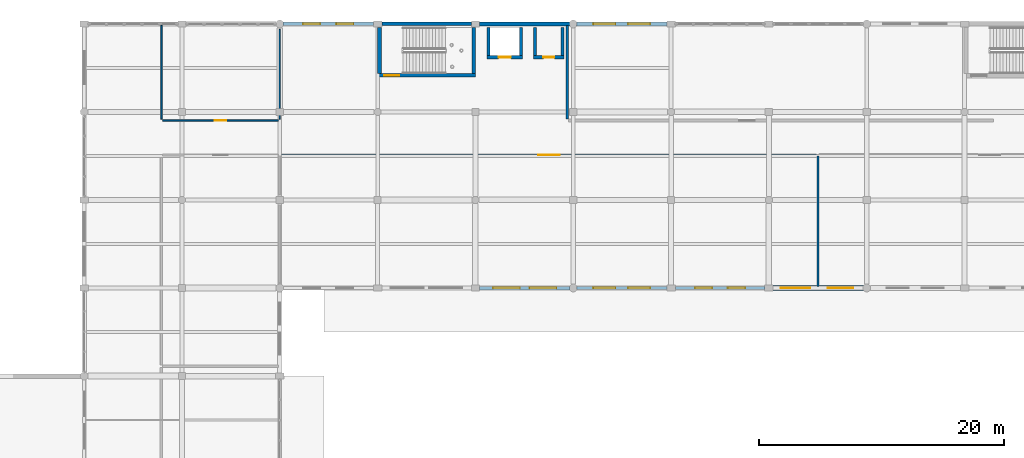
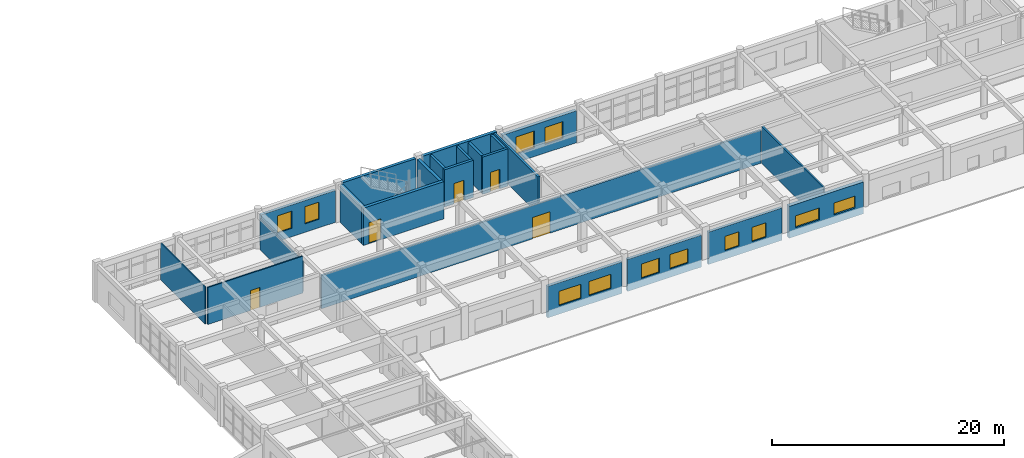
# One storey, part 107 of 121: 23 walls, 12 windows, 5 doors, 17 openings.
"""IFC4 building model written with IfcOpenShell, lengths in metres."""

from ifc_helpers import new_model, si_unit, direction, frame, frame_2d, origin, place, context, subcontext, project, spatial, rectangle, extrude, material, layer, layer_set, type_object, element, fill, save


model = new_model("IFC4")

# Units and contexts
model_context = context("Model", 3, precision=1e-05, world=origin(), true_north=direction((0.0, 1.0)))
body_context = subcontext(model_context, "Body", "Model", "MODEL_VIEW")
ifc_project = project(units=[si_unit("LENGTHUNIT", "METRE"), si_unit("AREAUNIT", "SQUARE_METRE"), si_unit("VOLUMEUNIT", "CUBIC_METRE"), si_unit("PLANEANGLEUNIT", "RADIAN"), si_unit("MASSUNIT", "GRAM", prefix="KILO")], contexts=[model_context])

# Site, building, storey
site_placement = place(None, origin())
site = spatial("IfcSite", under=ifc_project, at=site_placement, CompositionType="ELEMENT")
building_placement = place(site_placement, origin())
building = spatial("IfcBuilding", under=site, at=building_placement, Name="Kharva Crest Polytechnic", CompositionType="ELEMENT")
storey_placement = place(building_placement, frame((0.0, 0.0, 13.199951171875)))
storey = spatial("IfcBuildingStorey", under=building, at=storey_placement, Name="L03", CompositionType="ELEMENT", Elevation=13.199951171875)

# Wall, opening, door
ifc_material_1 = material(Name="Concrete C40/50", Category="concrete")
ifc_layer_1 = layer(ifc_material_1, 0.300048828125, Name="Concrete C40/50")
ifc_layer_set_1 = layer_set([ifc_layer_1], Name="Concrete C40/50")
wall_type_1 = type_object("IfcWallType", Name="WL-CORE-CW2-300", PredefinedType="SHEAR", material=ifc_layer_set_1)
wall_1_placement = place(storey_placement, frame((56.0, 117.7900390625, 0.0), z_axis=(0.0, 0.0, 1.0), x_axis=(1.0, 0.0, 0.0)))
wall_1 = element("IfcWall", 1, at=wall_1_placement, inside=storey, type_object=wall_type_1, Name="L03 North-West Lab Core C3 South Shear Wall", PredefinedType="SHEAR", context=body_context, shape_type="SweptSolid", body=[
    extrude(rectangle(XDim=8.0, YDim=0.300048828125, at=frame_2d((4.0, 0.0))), origin(), (0.0, 0.0, 1.0), 3.920166015625),
])
opening_1_placement = place(wall_1_placement, frame((0.550048828125, 0.0, 0.0)))
opening_1 = element("IfcOpeningElement", 2, at=opening_1_placement, cuts=wall_1, Name="Opening FD1", PredefinedType="OPENING", context=body_context, shape_type="SweptSolid", body=[
    extrude(rectangle(XDim=1.199951171875, YDim=2.199951171875, at=frame_2d((0.60009765625, 1.10009765625))), frame((0.0, 0.159912109375, 0.0), z_axis=(0.0, -1.0, 0.0), x_axis=(1.0, 0.0, 0.0)), (0.0, 0.0, 1.0), 0.320068359375),
])
ifc_material_2 = material(Name="Teak timber", Category="wood")
door_type_1 = type_object("IfcDoorType", Name="DR-STAIR-1200X2200", OperationType="NOTDEFINED", PredefinedType="DOOR", material=ifc_material_2)
door_1_placement = place(opening_1_placement, origin())
door_1 = element("IfcDoor", 3, at=door_1_placement, inside=storey, type_object=door_type_1, Name="L03 ST-03 Stair Door", OperationType="SINGLE_SWING_LEFT", OverallHeight=2.199951171875, OverallWidth=1.199951171875, PredefinedType="DOOR", context=body_context, shape_type="SweptSolid", body=[
    extrude(rectangle(XDim=1.199951171875, YDim=2.199951171875, at=frame_2d((0.60009765625, 1.10009765625))), frame((0.0, 0.02490234375, 0.0), z_axis=(0.0, -1.0, 0.0), x_axis=(1.0, 0.0, 0.0)), (0.0, 0.0, 1.0), 0.050048828125),
])
fill(opening_1, door_1)

# Walls
for number, where, z_axis, x_axis, name in (
    (4, (56.14990234375, 117.93994140625, 0.0), (0.0, 0.0, 1.0), (0.0, 1.0, 0.0), "L03 North-West Lab Core C3 West Shear Wall"),
    (5, (63.85009765625, 117.93994140625, 0.0), (0.0, 0.0, 1.0), (0.0, 1.0, 0.0), "L03 North-West Lab Core C3 East Shear Wall"),
):
    element("IfcWall", number, at=place(storey_placement, frame(where, z_axis=z_axis, x_axis=x_axis)), inside=storey, type_object=wall_type_1, Name=name, PredefinedType="SHEAR", context=body_context, shape_type="SweptSolid", body=[
        extrude(rectangle(XDim=3.760009765625, YDim=0.300048828125, at=frame_2d((1.8798828125, 0.0))), origin(), (0.0, 0.0, 1.0), 3.920166015625),
    ])

# Wall, openings, windows
ifc_material_3 = material(Name="Kiln brick masonry", Category="masonry")
ifc_layer_2 = layer(ifc_material_3, 0.260009765625, Name="Kiln brick masonry")
ifc_layer_set_2 = layer_set([ifc_layer_2], Name="Kiln brick masonry")
wall_type_2 = type_object("IfcWallType", Name="WL-EXT-BRK-260", PredefinedType="SOLIDWALL", material=ifc_layer_set_2)
wall_2_placement = place(storey_placement, frame((80.344970703125, 100.39990234375, 0.0), z_axis=(0.0, 0.0, 1.0), x_axis=(1.0, 0.0, 0.0)))
wall_2 = element("IfcWall", 6, at=wall_2_placement, inside=storey, type_object=wall_type_2, Name="L03 Exterior Brick Wall 372", PredefinedType="SOLIDWALL", context=body_context, shape_type="SweptSolid", body=[
    extrude(rectangle(XDim=7.320068359375, YDim=0.260009765625, at=frame_2d((3.66015625, 0.0))), origin(), (0.0, 0.0, 1.0), 3.41015625),
])
opening_2_placement = place(wall_2_placement, frame((1.613037109375, 0.0, 0.89990234375)))
opening_2 = element("IfcOpeningElement", 7, at=opening_2_placement, cuts=wall_2, Name="Opening W15", PredefinedType="OPENING", context=body_context, shape_type="SweptSolid", body=[
    extrude(rectangle(XDim=1.39990234375, YDim=1.5, at=frame_2d((0.699951171875, 0.75))), frame((0.0, 0.139892578125, 0.0), z_axis=(0.0, -1.0, 0.0), x_axis=(1.0, 0.0, 0.0)), (0.0, 0.0, 1.0), 0.280029296875),
])
opening_3_placement = place(wall_2_placement, frame((4.306884765625, 0.0, 0.89990234375)))
opening_3 = element("IfcOpeningElement", 8, at=opening_3_placement, cuts=wall_2, Name="Opening W15", PredefinedType="OPENING", context=body_context, shape_type="SweptSolid", body=[
    extrude(rectangle(XDim=1.39990234375, YDim=1.5, at=frame_2d((0.699951171875, 0.75))), frame((0.0, 0.139892578125, 0.0), z_axis=(0.0, -1.0, 0.0), x_axis=(1.0, 0.0, 0.0)), (0.0, 0.0, 1.0), 0.280029296875),
])
ifc_material_4 = material(Name="Anodised aluminium", Category="aluminium")
window_type_1 = type_object("IfcWindowType", Name="WIN-ALU-1400X1500", PartitioningType="SINGLE_PANEL", PredefinedType="WINDOW", material=ifc_material_4)
window_1_placement = place(opening_2_placement, origin())
window_1 = element("IfcWindow", 9, at=window_1_placement, inside=storey, type_object=window_type_1, Name="L03 Exterior Window 515", OverallHeight=1.5, OverallWidth=1.39990234375, PartitioningType="SINGLE_PANEL", PredefinedType="WINDOW", context=body_context, shape_type="SweptSolid", body=[
    extrude(rectangle(XDim=1.39990234375, YDim=1.5, at=frame_2d((0.699951171875, 0.75))), frame((0.0, 0.030029296875, 0.0), z_axis=(0.0, -1.0, 0.0), x_axis=(1.0, 0.0, 0.0)), (0.0, 0.0, 1.0), 0.06005859375),
])
fill(opening_2, window_1)
window_2_placement = place(opening_3_placement, origin())
window_2 = element("IfcWindow", 10, at=window_2_placement, inside=storey, type_object=window_type_1, Name="L03 Exterior Window 516", OverallHeight=1.5, OverallWidth=1.39990234375, PartitioningType="SINGLE_PANEL", PredefinedType="WINDOW", context=body_context, shape_type="SweptSolid", body=[
    extrude(rectangle(XDim=1.39990234375, YDim=1.5, at=frame_2d((0.699951171875, 0.75))), frame((0.0, 0.030029296875, 0.0), z_axis=(0.0, -1.0, 0.0), x_axis=(1.0, 0.0, 0.0)), (0.0, 0.0, 1.0), 0.06005859375),
])
fill(opening_3, window_2)

ifc_layer_3 = layer(ifc_material_3, 0.27490234375, Name="Kiln brick masonry")
ifc_layer_set_3 = layer_set([ifc_layer_3], Name="Kiln brick masonry")
wall_type_3 = type_object("IfcWallType", Name="WL-EXT-BRK-275", PredefinedType="SOLIDWALL", material=ifc_layer_set_3)
wall_3_placement = place(storey_placement, frame((55.655029296875, 122.0, 0.0), z_axis=(0.0, 0.0, 1.0), x_axis=(-1.0, 0.0, 0.0)))
wall_3 = element("IfcWall", 11, at=wall_3_placement, inside=storey, type_object=wall_type_3, Name="L03 Exterior Brick Wall 354", PredefinedType="SOLIDWALL", context=body_context, shape_type="SweptSolid", body=[
    extrude(rectangle(XDim=7.38623046875, YDim=0.27490234375, at=frame_2d((3.693115234375, 0.0))), origin(), (0.0, 0.0, 1.0), 3.360107421875),
])
opening_4_placement = place(wall_3_placement, frame((1.635009765625, 0.0, 0.89990234375)))
opening_4 = element("IfcOpeningElement", 12, at=opening_4_placement, cuts=wall_3, Name="Opening W07", PredefinedType="OPENING", context=body_context, shape_type="SweptSolid", body=[
    extrude(rectangle(XDim=1.39990234375, YDim=1.800048828125, at=frame_2d((0.699951171875, 0.89990234375))), frame((0.0, 0.1474609375, 0.0), z_axis=(0.0, -1.0, 0.0), x_axis=(1.0, 0.0, 0.0)), (0.0, 0.0, 1.0), 0.294921875),
])
opening_5_placement = place(wall_3_placement, frame((4.35107421875, 0.0, 0.89990234375)))
opening_5 = element("IfcOpeningElement", 13, at=opening_5_placement, cuts=wall_3, Name="Opening W07", PredefinedType="OPENING", context=body_context, shape_type="SweptSolid", body=[
    extrude(rectangle(XDim=1.39990234375, YDim=1.800048828125, at=frame_2d((0.699951171875, 0.89990234375))), frame((0.0, 0.1474609375, 0.0), z_axis=(0.0, -1.0, 0.0), x_axis=(1.0, 0.0, 0.0)), (0.0, 0.0, 1.0), 0.294921875),
])
window_type_2 = type_object("IfcWindowType", Name="WIN-ALU-1400X1800", PartitioningType="SINGLE_PANEL", PredefinedType="WINDOW", material=ifc_material_4)
window_3_placement = place(opening_4_placement, origin())
window_3 = element("IfcWindow", 14, at=window_3_placement, inside=storey, type_object=window_type_2, Name="L03 Exterior Window 483", OverallHeight=1.800048828125, OverallWidth=1.39990234375, PartitioningType="SINGLE_PANEL", PredefinedType="WINDOW", context=body_context, shape_type="SweptSolid", body=[
    extrude(rectangle(XDim=1.39990234375, YDim=1.800048828125, at=frame_2d((0.699951171875, 0.89990234375))), frame((0.0, 0.030029296875, 0.0), z_axis=(0.0, -1.0, 0.0), x_axis=(1.0, 0.0, 0.0)), (0.0, 0.0, 1.0), 0.06005859375),
])
fill(opening_4, window_3)
window_4_placement = place(opening_5_placement, origin())
window_4 = element("IfcWindow", 15, at=window_4_placement, inside=storey, type_object=window_type_2, Name="L03 Exterior Window 484", OverallHeight=1.800048828125, OverallWidth=1.39990234375, PartitioningType="SINGLE_PANEL", PredefinedType="WINDOW", context=body_context, shape_type="SweptSolid", body=[
    extrude(rectangle(XDim=1.39990234375, YDim=1.800048828125, at=frame_2d((0.699951171875, 0.89990234375))), frame((0.0, 0.030029296875, 0.0), z_axis=(0.0, -1.0, 0.0), x_axis=(1.0, 0.0, 0.0)), (0.0, 0.0, 1.0), 0.06005859375),
])
fill(opening_5, window_4)

wall_4_placement = place(storey_placement, frame((72.268798828125, 100.39990234375, 0.0), z_axis=(0.0, 0.0, 1.0), x_axis=(1.0, 0.0, 0.0)))
wall_4 = element("IfcWall", 16, at=wall_4_placement, inside=storey, type_object=wall_type_3, Name="L03 Exterior Brick Wall 371", PredefinedType="SOLIDWALL", context=body_context, shape_type="SweptSolid", body=[
    extrude(rectangle(XDim=7.38623046875, YDim=0.27490234375, at=frame_2d((3.693115234375, 0.0))), origin(), (0.0, 0.0, 1.0), 3.360107421875),
])
opening_6_placement = place(wall_4_placement, frame((1.368896484375, 0.0, 0.89990234375)))
opening_6 = element("IfcOpeningElement", 17, at=opening_6_placement, cuts=wall_4, Name="Opening W13", PredefinedType="OPENING", context=body_context, shape_type="SweptSolid", body=[
    extrude(rectangle(XDim=1.800048828125, YDim=1.5, at=frame_2d((0.89990234375, 0.75))), frame((0.0, 0.1474609375, 0.0), z_axis=(0.0, -1.0, 0.0), x_axis=(1.0, 0.0, 0.0)), (0.0, 0.0, 1.0), 0.294921875),
])
opening_7_placement = place(wall_4_placement, frame((4.217041015625, 0.0, 0.89990234375)))
opening_7 = element("IfcOpeningElement", 18, at=opening_7_placement, cuts=wall_4, Name="Opening W13", PredefinedType="OPENING", context=body_context, shape_type="SweptSolid", body=[
    extrude(rectangle(XDim=1.800048828125, YDim=1.5, at=frame_2d((0.89990234375, 0.75))), frame((0.0, 0.1474609375, 0.0), z_axis=(0.0, -1.0, 0.0), x_axis=(1.0, 0.0, 0.0)), (0.0, 0.0, 1.0), 0.294921875),
])
window_type_3 = type_object("IfcWindowType", Name="WIN-ALU-1800X1500", PartitioningType="SINGLE_PANEL", PredefinedType="WINDOW", material=ifc_material_4)
window_5_placement = place(opening_6_placement, origin())
window_5 = element("IfcWindow", 19, at=window_5_placement, inside=storey, type_object=window_type_3, Name="L03 Exterior Window 513", OverallHeight=1.5, OverallWidth=1.800048828125, PartitioningType="SINGLE_PANEL", PredefinedType="WINDOW", context=body_context, shape_type="SweptSolid", body=[
    extrude(rectangle(XDim=1.800048828125, YDim=1.5, at=frame_2d((0.89990234375, 0.75))), frame((0.0, 0.030029296875, 0.0), z_axis=(0.0, -1.0, 0.0), x_axis=(1.0, 0.0, 0.0)), (0.0, 0.0, 1.0), 0.06005859375),
])
fill(opening_6, window_5)
window_6_placement = place(opening_7_placement, origin())
window_6 = element("IfcWindow", 20, at=window_6_placement, inside=storey, type_object=window_type_3, Name="L03 Exterior Window 514", OverallHeight=1.5, OverallWidth=1.800048828125, PartitioningType="SINGLE_PANEL", PredefinedType="WINDOW", context=body_context, shape_type="SweptSolid", body=[
    extrude(rectangle(XDim=1.800048828125, YDim=1.5, at=frame_2d((0.89990234375, 0.75))), frame((0.0, 0.030029296875, 0.0), z_axis=(0.0, -1.0, 0.0), x_axis=(1.0, 0.0, 0.0)), (0.0, 0.0, 1.0), 0.06005859375),
])
fill(opening_7, window_6)

# Wall
ifc_layer_4 = layer(ifc_material_3, 0.2900390625, Name="Kiln brick masonry")
ifc_layer_set_4 = layer_set([ifc_layer_4], Name="Kiln brick masonry")
wall_type_4 = type_object("IfcWallType", Name="WL-EXT-BRK-290", PredefinedType="SOLIDWALL", material=ifc_layer_set_4)
wall_5_placement = place(storey_placement, frame((63.6650390625, 122.0, 0.0), z_axis=(0.0, 0.0, 1.0), x_axis=(-1.0, 0.0, 0.0)))
element("IfcWall", 21, at=wall_5_placement, inside=storey, type_object=wall_type_4, Name="L03 Exterior Brick Wall 353", PredefinedType="SOLIDWALL", context=body_context, shape_type="SweptSolid", body=[
    extrude(rectangle(XDim=7.320068359375, YDim=0.2900390625, at=frame_2d((3.66015625, 0.0))), origin(), (0.0, 0.0, 1.0), 3.920166015625),
])

# Wall, openings, windows
wall_6_placement = place(storey_placement, frame((64.3349609375, 100.39990234375, 0.0), z_axis=(0.0, 0.0, 1.0), x_axis=(1.0, 0.0, 0.0)))
wall_6 = element("IfcWall", 22, at=wall_6_placement, inside=storey, type_object=wall_type_4, Name="L03 Exterior Brick Wall 370", PredefinedType="SOLIDWALL", context=body_context, shape_type="SweptSolid", body=[
    extrude(rectangle(XDim=7.396240234375, YDim=0.2900390625, at=frame_2d((3.6982421875, 0.0))), origin(), (0.0, 0.0, 1.0), 3.31005859375),
])
opening_8_placement = place(wall_6_placement, frame((1.10498046875, 0.0, 0.89990234375)))
opening_8 = element("IfcOpeningElement", 23, at=opening_8_placement, cuts=wall_6, Name="Opening W11", PredefinedType="OPENING", context=body_context, shape_type="SweptSolid", body=[
    extrude(rectangle(XDim=2.199951171875, YDim=1.5, at=frame_2d((1.10009765625, 0.75))), frame((0.0, 0.155029296875, 0.0), z_axis=(0.0, -1.0, 0.0), x_axis=(1.0, 0.0, 0.0)), (0.0, 0.0, 1.0), 0.31005859375),
])
opening_9_placement = place(wall_6_placement, frame((4.091064453125, 0.0, 0.89990234375)))
opening_9 = element("IfcOpeningElement", 24, at=opening_9_placement, cuts=wall_6, Name="Opening W11", PredefinedType="OPENING", context=body_context, shape_type="SweptSolid", body=[
    extrude(rectangle(XDim=2.199951171875, YDim=1.5, at=frame_2d((1.10009765625, 0.75))), frame((0.0, 0.155029296875, 0.0), z_axis=(0.0, -1.0, 0.0), x_axis=(1.0, 0.0, 0.0)), (0.0, 0.0, 1.0), 0.31005859375),
])
window_type_4 = type_object("IfcWindowType", Name="WIN-ALU-2200X1500", PartitioningType="SINGLE_PANEL", PredefinedType="WINDOW", material=ifc_material_4)
window_7_placement = place(opening_8_placement, origin())
window_7 = element("IfcWindow", 25, at=window_7_placement, inside=storey, type_object=window_type_4, Name="L03 Exterior Window 511", OverallHeight=1.5, OverallWidth=2.199951171875, PartitioningType="SINGLE_PANEL", PredefinedType="WINDOW", context=body_context, shape_type="SweptSolid", body=[
    extrude(rectangle(XDim=2.199951171875, YDim=1.5, at=frame_2d((1.10009765625, 0.75))), frame((0.0, 0.030029296875, 0.0), z_axis=(0.0, -1.0, 0.0), x_axis=(1.0, 0.0, 0.0)), (0.0, 0.0, 1.0), 0.06005859375),
])
fill(opening_8, window_7)
window_8_placement = place(opening_9_placement, origin())
window_8 = element("IfcWindow", 26, at=window_8_placement, inside=storey, type_object=window_type_4, Name="L03 Exterior Window 512", OverallHeight=1.5, OverallWidth=2.199951171875, PartitioningType="SINGLE_PANEL", PredefinedType="WINDOW", context=body_context, shape_type="SweptSolid", body=[
    extrude(rectangle(XDim=2.199951171875, YDim=1.5, at=frame_2d((1.10009765625, 0.75))), frame((0.0, 0.030029296875, 0.0), z_axis=(0.0, -1.0, 0.0), x_axis=(1.0, 0.0, 0.0)), (0.0, 0.0, 1.0), 0.06005859375),
])
fill(opening_9, window_8)

# Wall
ifc_layer_5 = layer(ifc_material_3, 0.304931640625, Name="Kiln brick masonry")
ifc_layer_set_5 = layer_set([ifc_layer_5], Name="Kiln brick masonry")
wall_type_5 = type_object("IfcWallType", Name="WL-EXT-BRK-305", PredefinedType="SOLIDWALL", material=ifc_layer_set_5)
wall_7_placement = place(storey_placement, frame((71.731201171875, 122.0, 0.0), z_axis=(0.0, 0.0, 1.0), x_axis=(-1.0, 0.0, 0.0)))
element("IfcWall", 27, at=wall_7_placement, inside=storey, type_object=wall_type_5, Name="L03 Exterior Brick Wall 352", PredefinedType="SOLIDWALL", context=body_context, shape_type="SweptSolid", body=[
    extrude(rectangle(XDim=7.396240234375, YDim=0.304931640625, at=frame_2d((3.6982421875, 0.0))), origin(), (0.0, 0.0, 1.0), 3.920166015625),
])

# Wall, openings, windows
ifc_layer_6 = layer(ifc_material_3, 0.320068359375, Name="Kiln brick masonry")
ifc_layer_set_6 = layer_set([ifc_layer_6], Name="Kiln brick masonry")
wall_type_6 = type_object("IfcWallType", Name="WL-EXT-BRK-320", PredefinedType="SOLIDWALL", material=ifc_layer_set_6)
wall_8_placement = place(storey_placement, frame((79.655029296875, 122.0, 0.0), z_axis=(0.0, 0.0, 1.0), x_axis=(-1.0, 0.0, 0.0)))
wall_8 = element("IfcWall", 28, at=wall_8_placement, inside=storey, type_object=wall_type_6, Name="L03 Exterior Brick Wall 351", PredefinedType="SOLIDWALL", context=body_context, shape_type="SweptSolid", body=[
    extrude(rectangle(XDim=7.38623046875, YDim=0.320068359375, at=frame_2d((3.693115234375, 0.0))), origin(), (0.0, 0.0, 1.0), 3.360107421875),
])
opening_10_placement = place(wall_8_placement, frame((1.368896484375, 0.0, 0.89990234375)))
opening_10 = element("IfcOpeningElement", 29, at=opening_10_placement, cuts=wall_8, Name="Opening W05", PredefinedType="OPENING", context=body_context, shape_type="SweptSolid", body=[
    extrude(rectangle(XDim=1.800048828125, YDim=1.800048828125, at=frame_2d((0.89990234375, 0.89990234375))), frame((0.0, 0.169921875, 0.0), z_axis=(0.0, -1.0, 0.0), x_axis=(1.0, 0.0, 0.0)), (0.0, 0.0, 1.0), 0.340087890625),
])
opening_11_placement = place(wall_8_placement, frame((4.217041015625, 0.0, 0.89990234375)))
opening_11 = element("IfcOpeningElement", 30, at=opening_11_placement, cuts=wall_8, Name="Opening W05", PredefinedType="OPENING", context=body_context, shape_type="SweptSolid", body=[
    extrude(rectangle(XDim=1.800048828125, YDim=1.800048828125, at=frame_2d((0.89990234375, 0.89990234375))), frame((0.0, 0.169921875, 0.0), z_axis=(0.0, -1.0, 0.0), x_axis=(1.0, 0.0, 0.0)), (0.0, 0.0, 1.0), 0.340087890625),
])
window_type_5 = type_object("IfcWindowType", Name="WIN-ALU-1800X1800", PartitioningType="SINGLE_PANEL", PredefinedType="WINDOW", material=ifc_material_4)
window_9_placement = place(opening_10_placement, origin())
window_9 = element("IfcWindow", 31, at=window_9_placement, inside=storey, type_object=window_type_5, Name="L03 Exterior Window 481", OverallHeight=1.800048828125, OverallWidth=1.800048828125, PartitioningType="SINGLE_PANEL", PredefinedType="WINDOW", context=body_context, shape_type="SweptSolid", body=[
    extrude(rectangle(XDim=1.800048828125, YDim=1.800048828125, at=frame_2d((0.89990234375, 0.89990234375))), frame((0.0, 0.030029296875, 0.0), z_axis=(0.0, -1.0, 0.0), x_axis=(1.0, 0.0, 0.0)), (0.0, 0.0, 1.0), 0.06005859375),
])
fill(opening_10, window_9)
window_10_placement = place(opening_11_placement, origin())
window_10 = element("IfcWindow", 32, at=window_10_placement, inside=storey, type_object=window_type_5, Name="L03 Exterior Window 482", OverallHeight=1.800048828125, OverallWidth=1.800048828125, PartitioningType="SINGLE_PANEL", PredefinedType="WINDOW", context=body_context, shape_type="SweptSolid", body=[
    extrude(rectangle(XDim=1.800048828125, YDim=1.800048828125, at=frame_2d((0.89990234375, 0.89990234375))), frame((0.0, 0.030029296875, 0.0), z_axis=(0.0, -1.0, 0.0), x_axis=(1.0, 0.0, 0.0)), (0.0, 0.0, 1.0), 0.06005859375),
])
fill(opening_11, window_10)

ifc_layer_7 = layer(ifc_material_3, 0.3798828125, Name="Kiln brick masonry")
ifc_layer_set_7 = layer_set([ifc_layer_7], Name="Kiln brick masonry")
wall_type_7 = type_object("IfcWallType", Name="WL-EXT-BRK-380", PredefinedType="SOLIDWALL", material=ifc_layer_set_7)
wall_9_placement = place(storey_placement, frame((88.3349609375, 100.39990234375, 0.0), z_axis=(0.0, 0.0, 1.0), x_axis=(1.0, 0.0, 0.0)))
wall_9 = element("IfcWall", 33, at=wall_9_placement, inside=storey, type_object=wall_type_7, Name="L03 Exterior Brick Wall 373", PredefinedType="SOLIDWALL", context=body_context, shape_type="SweptSolid", body=[
    extrude(rectangle(XDim=7.396240234375, YDim=0.3798828125, at=frame_2d((3.6982421875, 0.0))), origin(), (0.0, 0.0, 1.0), 3.360107421875),
])
opening_12_placement = place(wall_9_placement, frame((0.633056640625, 0.0, 0.89990234375)))
opening_12 = element("IfcOpeningElement", 34, at=opening_12_placement, cuts=wall_9, Name="Opening W17", PredefinedType="OPENING", context=body_context, shape_type="SweptSolid", body=[
    extrude(rectangle(XDim=2.39990234375, YDim=1.25, at=frame_2d((1.199951171875, 0.625))), frame((0.0, 0.199951171875, 0.0), z_axis=(0.0, -1.0, 0.0), x_axis=(1.0, 0.0, 0.0)), (0.0, 0.0, 1.0), 0.39990234375),
])
opening_13_placement = place(wall_9_placement, frame((4.48095703125, 0.0, 0.89990234375)))
opening_13 = element("IfcOpeningElement", 35, at=opening_13_placement, cuts=wall_9, Name="Opening W18", PredefinedType="OPENING", context=body_context, shape_type="SweptSolid", body=[
    extrude(rectangle(XDim=2.10009765625, YDim=1.25, at=frame_2d((1.050048828125, 0.625))), frame((0.0, 0.199951171875, 0.0), z_axis=(0.0, -1.0, 0.0), x_axis=(1.0, 0.0, 0.0)), (0.0, 0.0, 1.0), 0.39990234375),
])
window_type_6 = type_object("IfcWindowType", Name="WIN-ALU-2100X1250", PartitioningType="SINGLE_PANEL", PredefinedType="WINDOW", material=ifc_material_4)
window_11_placement = place(opening_13_placement, origin())
window_11 = element("IfcWindow", 36, at=window_11_placement, inside=storey, type_object=window_type_6, Name="L03 Exterior Window 518", OverallHeight=1.25, OverallWidth=2.10009765625, PartitioningType="SINGLE_PANEL", PredefinedType="WINDOW", context=body_context, shape_type="SweptSolid", body=[
    extrude(rectangle(XDim=2.10009765625, YDim=1.25, at=frame_2d((1.050048828125, 0.625))), frame((0.0, 0.030029296875, 0.0), z_axis=(0.0, -1.0, 0.0), x_axis=(1.0, 0.0, 0.0)), (0.0, 0.0, 1.0), 0.06005859375),
])
fill(opening_13, window_11)
window_type_7 = type_object("IfcWindowType", Name="WIN-ALU-2400X1250", PartitioningType="SINGLE_PANEL", PredefinedType="WINDOW", material=ifc_material_4)
window_12_placement = place(opening_12_placement, origin())
window_12 = element("IfcWindow", 37, at=window_12_placement, inside=storey, type_object=window_type_7, Name="L03 Exterior Window 517", OverallHeight=1.25, OverallWidth=2.39990234375, PartitioningType="SINGLE_PANEL", PredefinedType="WINDOW", context=body_context, shape_type="SweptSolid", body=[
    extrude(rectangle(XDim=2.39990234375, YDim=1.25, at=frame_2d((1.199951171875, 0.625))), frame((0.0, 0.030029296875, 0.0), z_axis=(0.0, -1.0, 0.0), x_axis=(1.0, 0.0, 0.0)), (0.0, 0.0, 1.0), 0.06005859375),
])
fill(opening_12, window_12)

# Walls
ifc_layer_8 = layer(ifc_material_3, 0.110107421875, Name="Kiln brick masonry")
ifc_layer_set_8 = layer_set([ifc_layer_8], Name="Kiln brick masonry")
wall_type_8 = type_object("IfcWallType", Name="WL-PART-110", PredefinedType="PARTITIONING", material=ifc_layer_set_8)
wall_10_placement = place(storey_placement, frame((48.0, 114.219970703125, 0.0), z_axis=(0.0, 0.0, 1.0), x_axis=(0.0, 1.0, 0.0)))
element("IfcWall", 38, at=wall_10_placement, inside=storey, type_object=wall_type_8, Name="L03 Interior Partition 277", PredefinedType="PARTITIONING", context=body_context, shape_type="SweptSolid", body=[
    extrude(rectangle(XDim=7.330078125, YDim=0.110107421875, at=frame_2d((3.6650390625, 0.0))), origin(), (0.0, 0.0, 1.0), 3.280029296875),
])
ifc_layer_9 = layer(ifc_material_3, 0.1201171875, Name="Kiln brick masonry")
ifc_layer_set_9 = layer_set([ifc_layer_9], Name="Kiln brick masonry")
wall_type_9 = type_object("IfcWallType", Name="WL-PART-120", PredefinedType="PARTITIONING", material=ifc_layer_set_9)
wall_11_placement = place(storey_placement, frame((38.31005859375, 114.219970703125, 0.0), z_axis=(0.0, 0.0, 1.0), x_axis=(0.0, 1.0, 0.0)))
element("IfcWall", 39, at=wall_11_placement, inside=storey, type_object=wall_type_9, Name="L03 Interior Partition 276", PredefinedType="PARTITIONING", context=body_context, shape_type="SweptSolid", body=[
    extrude(rectangle(XDim=7.669921875, YDim=0.1201171875, at=frame_2d((3.8349609375, 0.0))), origin(), (0.0, 0.0, 1.0), 3.900146484375),
])

# Wall, opening, door
ifc_layer_10 = layer(ifc_material_3, 0.1298828125, Name="Kiln brick masonry")
ifc_layer_set_10 = layer_set([ifc_layer_10], Name="Kiln brick masonry")
wall_type_10 = type_object("IfcWallType", Name="WL-PART-130", PredefinedType="PARTITIONING", material=ifc_layer_set_10)
wall_12_placement = place(storey_placement, frame((38.419921875, 114.110107421875, 0.0), z_axis=(0.0, 0.0, 1.0), x_axis=(1.0, 0.0, 0.0)))
wall_12 = element("IfcWall", 40, at=wall_12_placement, inside=storey, type_object=wall_type_10, Name="L03 Interior Partition 275", PredefinedType="PARTITIONING", context=body_context, shape_type="SweptSolid", body=[
    extrude(rectangle(XDim=9.469970703125, YDim=0.1298828125, at=frame_2d((4.73486328125, 0.0))), origin(), (0.0, 0.0, 1.0), 3.900146484375),
])
opening_14_placement = place(wall_12_placement, frame((4.280029296875, 0.0, 0.0)))
opening_14 = element("IfcOpeningElement", 41, at=opening_14_placement, cuts=wall_12, Name="Opening ID15", PredefinedType="OPENING", context=body_context, shape_type="SweptSolid", body=[
    extrude(rectangle(XDim=0.909912109375, YDim=2.10009765625, at=frame_2d((0.455078125, 1.050048828125))), frame((0.0, 0.074951171875, 0.0), z_axis=(0.0, -1.0, 0.0), x_axis=(1.0, 0.0, 0.0)), (0.0, 0.0, 1.0), 0.14990234375),
])
door_type_2 = type_object("IfcDoorType", Name="DR-WC-910X2100", OperationType="NOTDEFINED", PredefinedType="DOOR", material=ifc_material_2)
door_2_placement = place(opening_14_placement, origin())
door_2 = element("IfcDoor", 42, at=door_2_placement, inside=storey, type_object=door_type_2, Name="L03 West Washrooms and Accessible WC L03 Door", OperationType="SINGLE_SWING_LEFT", OverallHeight=2.10009765625, OverallWidth=0.909912109375, PredefinedType="DOOR", context=body_context, shape_type="SweptSolid", body=[
    extrude(rectangle(XDim=0.909912109375, YDim=2.10009765625, at=frame_2d((0.455078125, 1.050048828125))), frame((0.0, 0.02490234375, 0.0), z_axis=(0.0, -1.0, 0.0), x_axis=(1.0, 0.0, 0.0)), (0.0, 0.0, 1.0), 0.050048828125),
])
fill(opening_14, door_2)

# Wall
ifc_layer_11 = layer(ifc_material_3, 0.169921875, Name="Kiln brick masonry")
ifc_layer_set_11 = layer_set([ifc_layer_11], Name="Kiln brick masonry")
wall_type_11 = type_object("IfcWallType", Name="WL-PART-170", PredefinedType="PARTITIONING", material=ifc_layer_set_11)
wall_13_placement = place(storey_placement, frame((92.0, 100.510009765625, 0.0), z_axis=(0.0, 0.0, 1.0), x_axis=(0.0, 1.0, 0.0)))
element("IfcWall", 43, at=wall_13_placement, inside=storey, type_object=wall_type_11, Name="L03 Interior Partition 311", PredefinedType="PARTITIONING", context=body_context, shape_type="SweptSolid", body=[
    extrude(rectangle(XDim=10.669921875, YDim=0.169921875, at=frame_2d((5.3349609375, 0.0))), origin(), (0.0, 0.0, 1.0), 3.900146484375),
])

# Wall, opening, door
ifc_layer_12 = layer(ifc_material_3, 0.179931640625, Name="Kiln brick masonry")
ifc_layer_set_12 = layer_set([ifc_layer_12], Name="Kiln brick masonry")
wall_type_12 = type_object("IfcWallType", Name="WL-PART-180", PredefinedType="PARTITIONING", material=ifc_layer_set_12)
wall_14_placement = place(storey_placement, frame((48.1201171875, 111.2900390625, 0.0), z_axis=(0.0, 0.0, 1.0), x_axis=(1.0, 0.0, 0.0)))
wall_14 = element("IfcWall", 44, at=wall_14_placement, inside=storey, type_object=wall_type_12, Name="L03 Interior Partition 310", PredefinedType="PARTITIONING", context=body_context, shape_type="SweptSolid", body=[
    extrude(rectangle(XDim=43.769775390625, YDim=0.179931640625, at=frame_2d((21.884765625, 0.0))), origin(), (0.0, 0.0, 1.0), 3.5),
])
opening_15_placement = place(wall_14_placement, frame((21.010009765625, 0.0, 0.0)))
opening_15 = element("IfcOpeningElement", 45, at=opening_15_placement, cuts=wall_14, Name="Opening ID5", PredefinedType="OPENING", context=body_context, shape_type="SweptSolid", body=[
    extrude(rectangle(XDim=1.75, YDim=2.25, at=frame_2d((0.875, 1.125))), frame((0.0, 0.099853515625, 0.0), z_axis=(0.0, -1.0, 0.0), x_axis=(1.0, 0.0, 0.0)), (0.0, 0.0, 1.0), 0.199951171875),
])
door_type_3 = type_object("IfcDoorType", Name="DR-LIB-DBL-1750X2250", OperationType="NOTDEFINED", PredefinedType="DOOR", material=ifc_material_2)
door_3_placement = place(opening_15_placement, origin())
door_3 = element("IfcDoor", 46, at=door_3_placement, inside=storey, type_object=door_type_3, Name="L03 Learning Commons Door", OperationType="DOUBLE_DOOR_SINGLE_SWING", OverallHeight=2.25, OverallWidth=1.75, PredefinedType="DOOR", context=body_context, shape_type="SweptSolid", body=[
    extrude(rectangle(XDim=1.75, YDim=2.25, at=frame_2d((0.875, 1.125))), frame((0.0, 0.02490234375, 0.0), z_axis=(0.0, -1.0, 0.0), x_axis=(1.0, 0.0, 0.0)), (0.0, 0.0, 1.0), 0.050048828125),
])
fill(opening_15, door_3)

# Wall
ifc_layer_13 = layer(ifc_material_3, 0.215087890625, Name="Kiln brick masonry")
ifc_layer_set_13 = layer_set([ifc_layer_13], Name="Kiln brick masonry")
wall_type_13 = type_object("IfcWallType", Name="WL-PART-215", PredefinedType="PARTITIONING", material=ifc_layer_set_13)
wall_15_placement = place(storey_placement, frame((71.5, 114.219970703125, 0.0), z_axis=(0.0, 0.0, 1.0), x_axis=(0.0, 1.0, 0.0)))
element("IfcWall", 47, at=wall_15_placement, inside=storey, type_object=wall_type_13, Name="L03 Interior Partition 321", PredefinedType="PARTITIONING", context=body_context, shape_type="SweptSolid", body=[
    extrude(rectangle(XDim=7.669921875, YDim=0.215087890625, at=frame_2d((3.8349609375, 0.0))), origin(), (0.0, 0.0, 1.0), 3.900146484375),
])

# Wall, opening, door
ifc_layer_14 = layer(ifc_material_1, 0.25, Name="Concrete C40/50")
ifc_layer_set_14 = layer_set([ifc_layer_14], Name="Concrete C40/50")
wall_type_14 = type_object("IfcWallType", Name="WL-SHEAR-SW1-250", PredefinedType="SHEAR", material=ifc_layer_set_14)
wall_16_placement = place(storey_placement, frame((64.949951171875, 119.27490234375, 0.0), z_axis=(0.0, 0.0, 1.0), x_axis=(1.0, 0.0, 0.0)))
wall_16 = element("IfcWall", 48, at=wall_16_placement, inside=storey, type_object=wall_type_14, Name="L03 Lift PL3 South Shaft Wall", PredefinedType="SHEAR", context=body_context, shape_type="SweptSolid", body=[
    extrude(rectangle(XDim=2.900146484375, YDim=0.25, at=frame_2d((1.4501953125, 0.0))), origin(), (0.0, 0.0, 1.0), 3.920166015625),
])
opening_16_placement = place(wall_16_placement, frame((0.949951171875, 0.0, 0.0)))
opening_16 = element("IfcOpeningElement", 49, at=opening_16_placement, cuts=wall_16, Name="Opening LD2", PredefinedType="OPENING", context=body_context, shape_type="SweptSolid", body=[
    extrude(rectangle(XDim=1.0, YDim=2.14990234375, at=frame_2d((0.5, 1.074951171875))), frame((0.0, 0.135009765625, 0.0), z_axis=(0.0, -1.0, 0.0), x_axis=(1.0, 0.0, 0.0)), (0.0, 0.0, 1.0), 0.27001953125),
])
door_type_4 = type_object("IfcDoorType", Name="DR-LIFT-LD2-1000X2150", OperationType="SLIDING_TO_LEFT", PredefinedType="DOOR", material=ifc_material_4)
door_4_placement = place(opening_16_placement, origin())
door_4 = element("IfcDoor", 50, at=door_4_placement, inside=storey, type_object=door_type_4, Name="L03 Lift PL3 Sliding Landing Door", OperationType="SLIDING_TO_LEFT", OverallHeight=2.14990234375, OverallWidth=1.0, PredefinedType="DOOR", context=body_context, shape_type="SweptSolid", body=[
    extrude(rectangle(XDim=1.0, YDim=2.14990234375, at=frame_2d((0.5, 1.074951171875))), frame((0.0, 0.02490234375, 0.0), z_axis=(0.0, -1.0, 0.0), x_axis=(1.0, 0.0, 0.0)), (0.0, 0.0, 1.0), 0.050048828125),
])
fill(opening_16, door_4)

# Walls
for number, where, z_axis, x_axis, name in (
    (51, (65.074951171875, 119.39990234375, 0.0), (0.0, 0.0, 1.0), (0.0, 1.0, 0.0), "L03 Lift PL3 West Shaft Wall"),
    (52, (67.72509765625, 119.39990234375, 0.0), (0.0, 0.0, 1.0), (0.0, 1.0, 0.0), "L03 Lift PL3 East Shaft Wall"),
):
    element("IfcWall", number, at=place(storey_placement, frame(where, z_axis=z_axis, x_axis=x_axis)), inside=storey, type_object=wall_type_14, Name=name, PredefinedType="SHEAR", context=body_context, shape_type="SweptSolid", body=[
        extrude(rectangle(XDim=2.300048828125, YDim=0.25, at=frame_2d((1.14990234375, 0.0))), origin(), (0.0, 0.0, 1.0), 3.920166015625),
    ])

# Wall, opening, door
wall_17_placement = place(storey_placement, frame((68.75, 119.27490234375, 0.0), z_axis=(0.0, 0.0, 1.0), x_axis=(1.0, 0.0, 0.0)))
wall_17 = element("IfcWall", 53, at=wall_17_placement, inside=storey, type_object=wall_type_14, Name="L03 Core C3 Riser South Wall", PredefinedType="SHEAR", context=body_context, shape_type="SweptSolid", body=[
    extrude(rectangle(XDim=2.5, YDim=0.25, at=frame_2d((1.25, 0.0))), origin(), (0.0, 0.0, 1.0), 3.920166015625),
])
opening_17_placement = place(wall_17_placement, frame((0.800048828125, 0.0, 0.0)))
opening_17 = element("IfcOpeningElement", 54, at=opening_17_placement, cuts=wall_17, Name="Opening FD3", PredefinedType="OPENING", context=body_context, shape_type="SweptSolid", body=[
    extrude(rectangle(XDim=0.89990234375, YDim=2.050048828125, at=frame_2d((0.449951171875, 1.02490234375))), frame((0.0, 0.135009765625, 0.0), z_axis=(0.0, -1.0, 0.0), x_axis=(1.0, 0.0, 0.0)), (0.0, 0.0, 1.0), 0.27001953125),
])
door_type_5 = type_object("IfcDoorType", Name="DR-RISER-900X2050", OperationType="NOTDEFINED", PredefinedType="DOOR", material=ifc_material_4)
door_5_placement = place(opening_17_placement, origin())
door_5 = element("IfcDoor", 55, at=door_5_placement, inside=storey, type_object=door_type_5, Name="L03 Core C3 Riser Access Door", OperationType="SINGLE_SWING_RIGHT", OverallHeight=2.050048828125, OverallWidth=0.89990234375, PredefinedType="DOOR", context=body_context, shape_type="SweptSolid", body=[
    extrude(rectangle(XDim=0.89990234375, YDim=2.050048828125, at=frame_2d((0.449951171875, 1.02490234375))), frame((0.0, 0.02490234375, 0.0), z_axis=(0.0, -1.0, 0.0), x_axis=(1.0, 0.0, 0.0)), (0.0, 0.0, 1.0), 0.050048828125),
])
fill(opening_17, door_5)

# Walls
for number, where, z_axis, x_axis, name in (
    (56, (68.875, 119.39990234375, 0.0), (0.0, 0.0, 1.0), (0.0, 1.0, 0.0), "L03 Core C3 Riser West Wall"),
    (57, (71.125, 119.39990234375, 0.0), (0.0, 0.0, 1.0), (0.0, 1.0, 0.0), "L03 Core C3 Riser East Wall"),
):
    element("IfcWall", number, at=place(storey_placement, frame(where, z_axis=z_axis, x_axis=x_axis)), inside=storey, type_object=wall_type_14, Name=name, PredefinedType="SHEAR", context=body_context, shape_type="SweptSolid", body=[
        extrude(rectangle(XDim=2.300048828125, YDim=0.25, at=frame_2d((1.14990234375, 0.0))), origin(), (0.0, 0.0, 1.0), 3.920166015625),
    ])

save(model, "model.ifc")
